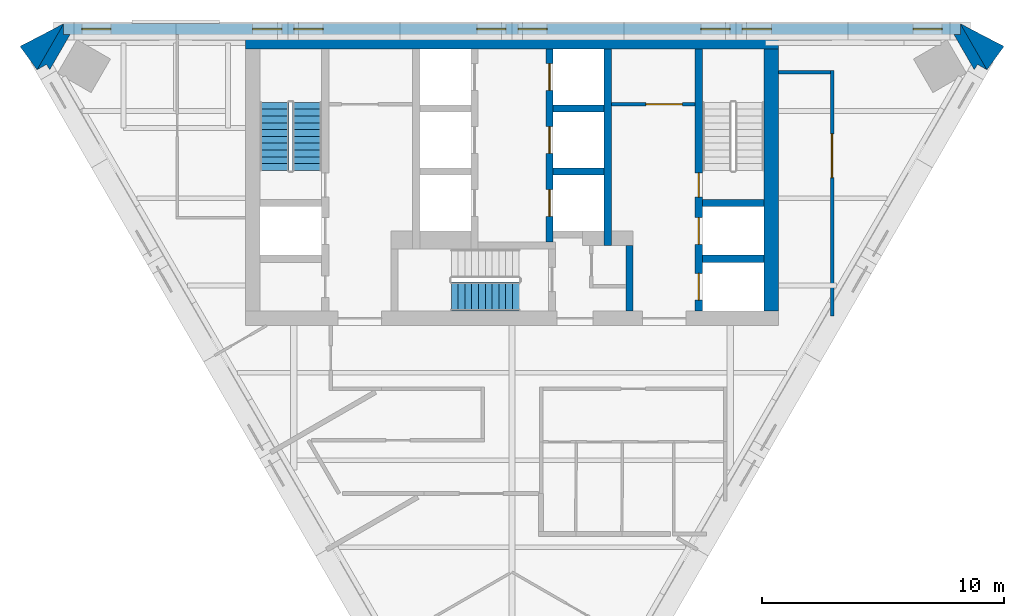
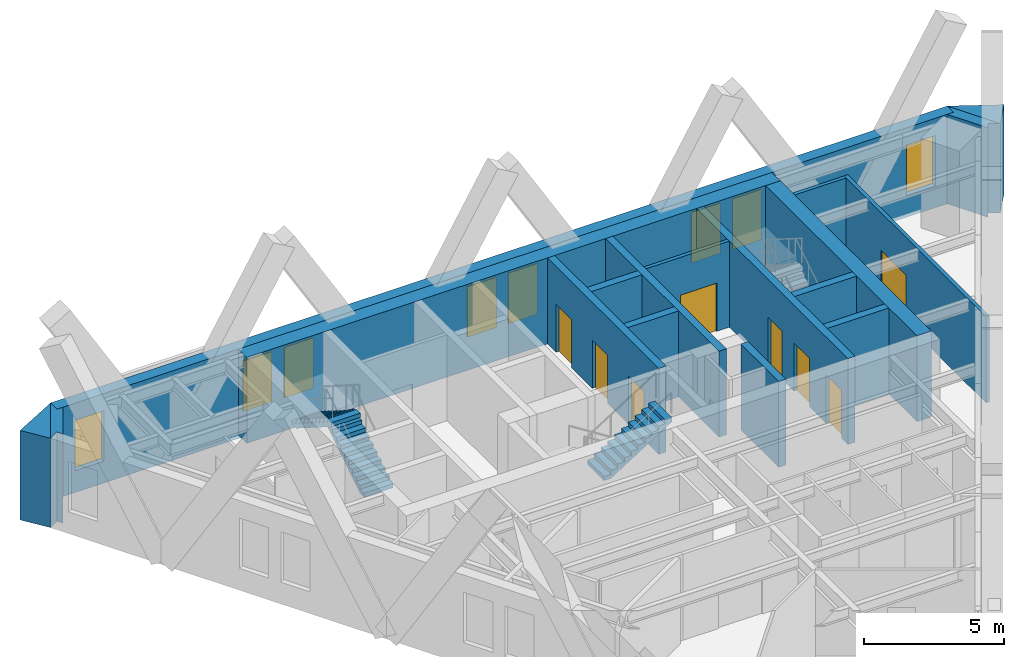
# One storey, part 5 of 7: 18 walls, 8 doors, 8 windows, 3 stair flights, 16 openings, 2 elements without a shape of their own.
"""IFC4 building model written with IfcOpenShell, lengths in metres."""

from ifc_helpers import new_model, si_unit, direction, frame, frame_2d, origin, place, context, subcontext, project, spatial, polyline, rectangle, outline, extrude, material, layer, layer_set, type_object, element, fill, aggregate, save


model = new_model("IFC4")

# Units and contexts
model_context = context("Model", 3, precision=1e-05, world=origin(), true_north=direction((0.0, 1.0)))
body_context = subcontext(model_context, "Body", "Model", "MODEL_VIEW")
ifc_project = project(units=[si_unit("LENGTHUNIT", "METRE"), si_unit("AREAUNIT", "SQUARE_METRE"), si_unit("VOLUMEUNIT", "CUBIC_METRE"), si_unit("PLANEANGLEUNIT", "RADIAN"), si_unit("MASSUNIT", "GRAM", prefix="KILO")], contexts=[model_context])

# Site, building, storey
site_placement = place(None, origin())
site = spatial("IfcSite", under=ifc_project, at=site_placement, CompositionType="ELEMENT")
building_placement = place(site_placement, origin())
building = spatial("IfcBuilding", under=site, at=building_placement, Name="Aloe Facet Convention Tower", CompositionType="ELEMENT")
storey_placement = place(building_placement, frame((0.0, 0.0, 246.5)))
storey = spatial("IfcBuildingStorey", under=building, at=storey_placement, Name="L60", CompositionType="ELEMENT", Elevation=246.5)

# Wall, opening, door
ifc_material_1 = material(Name="Concrete blockwork partition", Category="masonry")
ifc_layer_1 = layer(ifc_material_1, 0.14990234375)
ifc_layer_set_1 = layer_set([ifc_layer_1], Name="CR-W-PART150")
wall_type_1 = type_object("IfcWallType", Name="CR-W-PART150", PredefinedType="PARTITIONING", material=ifc_layer_set_1)
wall_1_placement = place(storey_placement, frame((84.10009765625, 131.675048828125, 0.0), z_axis=(0.0, 0.0, 1.0), x_axis=(1.0, 0.0, 0.0)))
wall_1 = element("IfcWall", 1, at=wall_1_placement, inside=storey, type_object=wall_type_1, Name="Core partition L60-025", PredefinedType="PARTITIONING", context=body_context, shape_type="SweptSolid", body=[
    extrude(rectangle(XDim=3.449951171875, YDim=0.14990234375, at=frame_2d((1.72509765625, 0.0))), origin(), (0.0, 0.0, 1.0), 3.75),
])
opening_1_placement = place(wall_1_placement, frame((1.425048828125, 0.0, 0.0)))
opening_1 = element("IfcOpeningElement", 2, at=opening_1_placement, cuts=wall_1, Name="Opening L60-CD13", PredefinedType="OPENING", context=body_context, shape_type="SweptSolid", body=[
    extrude(rectangle(XDim=1.5, YDim=2.10009765625, at=frame_2d((0.75, 1.050048828125))), frame((0.0, 0.0849609375, 0.0), z_axis=(0.0, -1.0, 0.0), x_axis=(1.0, 0.0, 0.0)), (0.0, 0.0, 1.0), 0.169921875),
])
ifc_material_2 = material(Name="Steel fire-resisting door set FD60", Category="steel")
door_type_1 = type_object("IfcDoorType", Name="CR-D-REFUGE-1500-FD60-DD", OperationType="DOUBLE_DOOR_DOUBLE_SWING", PredefinedType="DOOR", material=ifc_material_2)
door_1_placement = place(opening_1_placement, origin())
door_1 = element("IfcDoor", 3, at=door_1_placement, inside=storey, type_object=door_type_1, Name="Core door L60-CD13", OperationType="DOUBLE_DOOR_DOUBLE_SWING", OverallHeight=2.10009765625, OverallWidth=1.5, PredefinedType="DOOR", context=body_context, shape_type="SweptSolid", body=[
    extrude(rectangle(XDim=1.5, YDim=2.10009765625, at=frame_2d((0.75, 1.050048828125))), frame((0.0, 0.02490234375, 0.0), z_axis=(0.0, -1.0, 0.0), x_axis=(1.0, 0.0, 0.0)), (0.0, 0.0, 1.0), 0.050048828125),
])
fill(opening_1, door_1)

# Wall, openings, doors
ifc_material_3 = material(Name="Concrete C50/60", Category="concrete")
ifc_layer_2 = layer(ifc_material_3, 0.300048828125)
ifc_layer_set_2 = layer_set([ifc_layer_2], Name="CR-W-RC300-C5060")
wall_type_2 = type_object("IfcWallType", Name="CR-W-RC300-C5060", PredefinedType="SOLIDWALL", material=ifc_layer_set_2)
wall_2_placement = place(storey_placement, frame((81.550048828125, 133.949951171875, 0.0), z_axis=(0.0, 0.0, 1.0), x_axis=(0.0, -1.0, 0.0)))
wall_2 = element("IfcWall", 4, at=wall_2_placement, inside=storey, type_object=wall_type_2, Name="Core wall L60-016", PredefinedType="SOLIDWALL", context=body_context, shape_type="SweptSolid", body=[
    extrude(rectangle(XDim=7.949951171875, YDim=0.300048828125, at=frame_2d((3.97509765625, 0.0))), origin(), (0.0, 0.0, 1.0), 3.75),
])
opening_2_placement = place(wall_2_placement, frame((0.60009765625, 0.0, 0.0)))
opening_2 = element("IfcOpeningElement", 5, at=opening_2_placement, cuts=wall_2, Name="Opening LD-B4-L60", PredefinedType="OPENING", context=body_context, shape_type="SweptSolid", body=[
    extrude(rectangle(XDim=1.10009765625, YDim=2.10009765625, at=frame_2d((0.550048828125, 1.050048828125))), frame((0.0, 0.16015625, 0.0), z_axis=(0.0, -1.0, 0.0), x_axis=(1.0, 0.0, 0.0)), (0.0, 0.0, 1.0), 0.320068359375),
])
opening_3_placement = place(wall_2_placement, frame((3.199951171875, 0.0, 0.0)))
opening_3 = element("IfcOpeningElement", 6, at=opening_3_placement, cuts=wall_2, Name="Opening LD-B5-L60", PredefinedType="OPENING", context=body_context, shape_type="SweptSolid", body=[
    extrude(rectangle(XDim=1.10009765625, YDim=2.10009765625, at=frame_2d((0.550048828125, 1.050048828125))), frame((0.0, 0.16015625, 0.0), z_axis=(0.0, -1.0, 0.0), x_axis=(1.0, 0.0, 0.0)), (0.0, 0.0, 1.0), 0.320068359375),
])
opening_4_placement = place(wall_2_placement, frame((5.800048828125, 0.0, 0.0)))
opening_4 = element("IfcOpeningElement", 7, at=opening_4_placement, cuts=wall_2, Name="Opening LD-B6-L60", PredefinedType="OPENING", context=body_context, shape_type="SweptSolid", body=[
    extrude(rectangle(XDim=1.10009765625, YDim=2.10009765625, at=frame_2d((0.550048828125, 1.050048828125))), frame((0.0, 0.16015625, 0.0), z_axis=(0.0, -1.0, 0.0), x_axis=(1.0, 0.0, 0.0)), (0.0, 0.0, 1.0), 0.320068359375),
])
ifc_material_4 = material(Name="Stainless steel sliding landing door", Category="steel")
door_type_2 = type_object("IfcDoorType", Name="CR-LD-1100-FD60-_LEFT", OperationType="SLIDING_TO_LEFT", PredefinedType="DOOR", material=ifc_material_4)
door_2_placement = place(opening_2_placement, origin())
door_2 = element("IfcDoor", 8, at=door_2_placement, inside=storey, type_object=door_type_2, Name="Landing door B4 L60", OperationType="SLIDING_TO_LEFT", OverallHeight=2.10009765625, OverallWidth=1.10009765625, PredefinedType="DOOR", context=body_context, shape_type="SweptSolid", body=[
    extrude(rectangle(XDim=1.10009765625, YDim=2.10009765625, at=frame_2d((0.550048828125, 1.050048828125))), frame((0.0, 0.02490234375, 0.0), z_axis=(0.0, -1.0, 0.0), x_axis=(1.0, 0.0, 0.0)), (0.0, 0.0, 1.0), 0.050048828125),
])
fill(opening_2, door_2)
door_3_placement = place(opening_3_placement, origin())
door_3 = element("IfcDoor", 9, at=door_3_placement, inside=storey, type_object=door_type_2, Name="Landing door B5 L60", OperationType="SLIDING_TO_LEFT", OverallHeight=2.10009765625, OverallWidth=1.10009765625, PredefinedType="DOOR", context=body_context, shape_type="SweptSolid", body=[
    extrude(rectangle(XDim=1.10009765625, YDim=2.10009765625, at=frame_2d((0.550048828125, 1.050048828125))), frame((0.0, 0.02490234375, 0.0), z_axis=(0.0, -1.0, 0.0), x_axis=(1.0, 0.0, 0.0)), (0.0, 0.0, 1.0), 0.050048828125),
])
fill(opening_3, door_3)
door_4_placement = place(opening_4_placement, origin())
door_4 = element("IfcDoor", 10, at=door_4_placement, inside=storey, type_object=door_type_2, Name="Landing door B6 L60", OperationType="SLIDING_TO_LEFT", OverallHeight=2.10009765625, OverallWidth=1.10009765625, PredefinedType="DOOR", context=body_context, shape_type="SweptSolid", body=[
    extrude(rectangle(XDim=1.10009765625, YDim=2.10009765625, at=frame_2d((0.550048828125, 1.050048828125))), frame((0.0, 0.02490234375, 0.0), z_axis=(0.0, -1.0, 0.0), x_axis=(1.0, 0.0, 0.0)), (0.0, 0.0, 1.0), 0.050048828125),
])
fill(opening_4, door_4)

# Walls
for number, where, z_axis, x_axis, name in (
    (11, (81.699951171875, 131.5, 0.0), (0.0, 0.0, 1.0), (1.0, 0.0, 0.0), "Core wall L60-018"),
    (12, (81.699951171875, 128.89990234375, 0.0), (0.0, 0.0, 1.0), (1.0, 0.0, 0.0), "Core wall L60-019"),
):
    element("IfcWall", number, at=place(storey_placement, frame(where, z_axis=z_axis, x_axis=x_axis)), inside=storey, type_object=wall_type_2, Name=name, PredefinedType="SOLIDWALL", context=body_context, shape_type="SweptSolid", body=[
        extrude(rectangle(XDim=2.10009765625, YDim=0.300048828125, at=frame_2d((1.050048828125, 0.0))), origin(), (0.0, 0.0, 1.0), 3.75),
    ])
wall_3_placement = place(storey_placement, frame((83.949951171875, 133.949951171875, 0.0), z_axis=(0.0, 0.0, 1.0), x_axis=(0.0, -1.0, 0.0)))
element("IfcWall", 13, at=wall_3_placement, inside=storey, type_object=wall_type_2, Name="Core wall L60-024", PredefinedType="SOLIDWALL", context=body_context, shape_type="SweptSolid", body=[
    extrude(rectangle(XDim=8.099853515625, YDim=0.300048828125, at=frame_2d((4.0498046875, 0.0))), origin(), (0.0, 0.0, 1.0), 3.75),
])
wall_4_placement = place(storey_placement, frame((84.85009765625, 125.85009765625, 0.0), z_axis=(0.0, 0.0, 1.0), x_axis=(0.0, -1.0, 0.0)))
element("IfcWall", 14, at=wall_4_placement, inside=storey, type_object=wall_type_2, Name="Core wall L60-027", PredefinedType="SOLIDWALL", context=body_context, shape_type="SweptSolid", body=[
    extrude(rectangle(XDim=2.7001953125, YDim=0.300048828125, at=frame_2d((1.35009765625, 0.0))), origin(), (0.0, 0.0, 1.0), 3.75),
])

# Wall, openings, doors
wall_5_placement = place(storey_placement, frame((87.699951171875, 133.949951171875, 0.0), z_axis=(0.0, 0.0, 1.0), x_axis=(0.0, -1.0, 0.0)))
wall_5 = element("IfcWall", 15, at=wall_5_placement, inside=storey, type_object=wall_type_2, Name="Core wall L60-028", PredefinedType="SOLIDWALL", context=body_context, shape_type="SweptSolid", body=[
    extrude(rectangle(XDim=10.800048828125, YDim=0.300048828125, at=frame_2d((5.39990234375, 0.0))), origin(), (0.0, 0.0, 1.0), 3.75),
])
opening_5_placement = place(wall_5_placement, frame((6.949951171875, 0.0, 0.0)))
opening_5 = element("IfcOpeningElement", 16, at=opening_5_placement, cuts=wall_5, Name="Opening LD-FF2-L60", PredefinedType="OPENING", context=body_context, shape_type="SweptSolid", body=[
    extrude(rectangle(XDim=1.10009765625, YDim=2.10009765625, at=frame_2d((0.550048828125, 1.050048828125))), frame((0.0, 0.16015625, 0.0), z_axis=(0.0, -1.0, 0.0), x_axis=(1.0, 0.0, 0.0)), (0.0, 0.0, 1.0), 0.320068359375),
])
opening_6_placement = place(wall_5_placement, frame((5.10009765625, 0.0, 0.0)))
opening_6 = element("IfcOpeningElement", 17, at=opening_6_placement, cuts=wall_5, Name="Opening L60-CD17", PredefinedType="OPENING", context=body_context, shape_type="SweptSolid", body=[
    extrude(rectangle(XDim=1.0, YDim=2.10009765625, at=frame_2d((0.5, 1.050048828125))), frame((0.0, 0.16015625, 0.0), z_axis=(0.0, -1.0, 0.0), x_axis=(1.0, 0.0, 0.0)), (0.0, 0.0, 1.0), 0.320068359375),
])
opening_7_placement = place(wall_5_placement, frame((9.25, 0.0, 0.0)))
opening_7 = element("IfcOpeningElement", 18, at=opening_7_placement, cuts=wall_5, Name="Opening LD-SV1-L60", PredefinedType="OPENING", context=body_context, shape_type="SweptSolid", body=[
    extrude(rectangle(XDim=1.10009765625, YDim=2.10009765625, at=frame_2d((0.550048828125, 1.050048828125))), frame((0.0, 0.16015625, 0.0), z_axis=(0.0, -1.0, 0.0), x_axis=(1.0, 0.0, 0.0)), (0.0, 0.0, 1.0), 0.320068359375),
])
ifc_material_5 = material(Name="Steel fire-resisting door set FD120", Category="steel")
door_type_3 = type_object("IfcDoorType", Name="CR-D-STAIR-1000-FD120-SLEFT", OperationType="SINGLE_SWING_LEFT", PredefinedType="DOOR", material=ifc_material_5)
door_5_placement = place(opening_6_placement, origin())
door_5 = element("IfcDoor", 19, at=door_5_placement, inside=storey, type_object=door_type_3, Name="Core door L60-CD17", OperationType="SINGLE_SWING_LEFT", OverallHeight=2.10009765625, OverallWidth=1.0, PredefinedType="DOOR", context=body_context, shape_type="SweptSolid", body=[
    extrude(rectangle(XDim=1.0, YDim=2.10009765625, at=frame_2d((0.5, 1.050048828125))), frame((0.0, 0.02490234375, 0.0), z_axis=(0.0, -1.0, 0.0), x_axis=(1.0, 0.0, 0.0)), (0.0, 0.0, 1.0), 0.050048828125),
])
fill(opening_6, door_5)
ifc_material_6 = material(Name="Stainless steel sliding landing door", Category="steel")
door_type_4 = type_object("IfcDoorType", Name="CR-LD-1100-FD120-_LEFT", OperationType="SLIDING_TO_LEFT", PredefinedType="DOOR", material=ifc_material_6)
door_6_placement = place(opening_5_placement, origin())
door_6 = element("IfcDoor", 20, at=door_6_placement, inside=storey, type_object=door_type_4, Name="Landing door FF2 L60", OperationType="SLIDING_TO_LEFT", OverallHeight=2.10009765625, OverallWidth=1.10009765625, PredefinedType="DOOR", context=body_context, shape_type="SweptSolid", body=[
    extrude(rectangle(XDim=1.10009765625, YDim=2.10009765625, at=frame_2d((0.550048828125, 1.050048828125))), frame((0.0, 0.02490234375, 0.0), z_axis=(0.0, -1.0, 0.0), x_axis=(1.0, 0.0, 0.0)), (0.0, 0.0, 1.0), 0.050048828125),
])
fill(opening_5, door_6)
door_7_placement = place(opening_7_placement, origin())
door_7 = element("IfcDoor", 21, at=door_7_placement, inside=storey, type_object=door_type_4, Name="Landing door SV1 L60", OperationType="SLIDING_TO_LEFT", OverallHeight=2.10009765625, OverallWidth=1.10009765625, PredefinedType="DOOR", context=body_context, shape_type="SweptSolid", body=[
    extrude(rectangle(XDim=1.10009765625, YDim=2.10009765625, at=frame_2d((0.550048828125, 1.050048828125))), frame((0.0, 0.02490234375, 0.0), z_axis=(0.0, -1.0, 0.0), x_axis=(1.0, 0.0, 0.0)), (0.0, 0.0, 1.0), 0.050048828125),
])
fill(opening_7, door_7)

# Walls
for number, where, z_axis, x_axis, name in (
    (22, (87.85009765625, 127.60009765625, 0.0), (0.0, 0.0, 1.0), (1.0, 0.0, 0.0), "Core wall L60-029"),
    (23, (87.85009765625, 125.300048828125, 0.0), (0.0, 0.0, 1.0), (1.0, 0.0, 0.0), "Core wall L60-030"),
):
    element("IfcWall", number, at=place(storey_placement, frame(where, z_axis=z_axis, x_axis=x_axis)), inside=storey, type_object=wall_type_2, Name=name, PredefinedType="SOLIDWALL", context=body_context, shape_type="SweptSolid", body=[
        extrude(rectangle(XDim=2.5498046875, YDim=0.300048828125, at=frame_2d((1.27490234375, 0.0))), origin(), (0.0, 0.0, 1.0), 3.75),
    ])
ifc_material_7 = material(Name="Concrete C50/60", Category="concrete")
ifc_layer_3 = layer(ifc_material_7, 0.60009765625)
ifc_layer_set_3 = layer_set([ifc_layer_3], Name="CR-W-RC600-C5060")
wall_type_3 = type_object("IfcWallType", Name="CR-W-RC600-C5060", PredefinedType="SOLIDWALL", material=ifc_layer_set_3)
wall_6_placement = place(storey_placement, frame((69.0, 134.25, 0.0), z_axis=(0.0, 0.0, 1.0), x_axis=(1.0, 0.0, 0.0)))
element("IfcWall", 24, at=wall_6_placement, inside=storey, type_object=wall_type_3, Name="Core wall L60-001", PredefinedType="SOLIDWALL", context=body_context, shape_type="SweptSolid", body=[
    extrude(rectangle(XDim=22.0, YDim=0.60009765625, at=frame_2d((11.0, 0.0))), origin(), (0.0, 0.0, 1.0), 3.75),
])
wall_7_placement = place(storey_placement, frame((90.699951171875, 133.949951171875, 0.0), z_axis=(0.0, 0.0, 1.0), x_axis=(0.0, -1.0, 0.0)))
element("IfcWall", 25, at=wall_7_placement, inside=storey, type_object=wall_type_3, Name="Core wall L60-031", PredefinedType="SOLIDWALL", context=body_context, shape_type="SweptSolid", body=[
    extrude(rectangle(XDim=10.800048828125, YDim=0.60009765625, at=frame_2d((5.39990234375, 0.0))), origin(), (0.0, 0.0, 1.0), 3.75),
])
ifc_material_8 = material(Name="Precast concrete C40/50", Category="concrete")
ifc_layer_4 = layer(ifc_material_8, 0.449951171875)
ifc_layer_set_4 = layer_set([ifc_layer_4], Name="EV-WALL-PIER")
wall_type_4 = type_object("IfcWallType", Name="EV-WALL-PIER", PredefinedType="SOLIDWALL", material=ifc_layer_set_4)
wall_8_placement = place(storey_placement, frame((0.0, 0.0, -0.14990234375)))
element("IfcWall", 26, at=wall_8_placement, inside=storey, type_object=wall_type_4, Name="EP-L60-A", PredefinedType="SOLIDWALL", context=body_context, shape_type="SweptSolid", body=[
    extrude(outline(polyline([(61.513916015625, 135.0), (61.513916015625, 134.550048828125), (61.773681640625, 134.550048828125), (60.933349609375, 133.0947265625), (60.803466796875, 133.31982421875), (60.413818359375, 133.0947265625), (61.513916015625, 135.0)])), origin(), (0.0, 0.0, 1.0), 3.89990234375),
])
wall_9_placement = place(storey_placement, frame((0.0, 0.0, -0.14990234375)))
element("IfcWall", 27, at=wall_9_placement, inside=storey, type_object=wall_type_4, Name="EP-L60-C", PredefinedType="SOLIDWALL", context=body_context, shape_type="SweptSolid", body=[
    extrude(outline(polyline([(99.586181640625, 133.0947265625), (99.196533203125, 133.31982421875), (99.066650390625, 133.0947265625), (98.226318359375, 134.550048828125), (98.486083984375, 134.550048828125), (98.486083984375, 135.0), (99.586181640625, 133.0947265625)])), origin(), (0.0, 0.0, 1.0), 3.89990234375),
])
ifc_material_9 = material(Name="Precast concrete C40/50", Category="concrete")
ifc_layer_5 = layer(ifc_material_9, 3.947998046875)
ifc_layer_set_5 = layer_set([ifc_layer_5], Name="EV-WALL-SPINE")
wall_type_5 = type_object("IfcWallType", Name="EV-WALL-SPINE", PredefinedType="SOLIDWALL", material=ifc_layer_set_5)
wall_10_placement = place(storey_placement, frame((0.0, 0.0, -0.14990234375)))
element("IfcWall", 28, at=wall_10_placement, inside=storey, type_object=wall_type_5, Name="SP-NW-L60", PredefinedType="SOLIDWALL", context=body_context, shape_type="SweptSolid", body=[
    extrude(outline(polyline([(61.513916015625, 135.0), (59.7099609375, 134.061279296875), (60.413818359375, 133.0947265625), (61.513916015625, 135.0)])), origin(), (0.0, 0.0, 1.0), 3.89990234375),
])
wall_11_placement = place(storey_placement, frame((0.0, 0.0, -0.14990234375)))
element("IfcWall", 29, at=wall_11_placement, inside=storey, type_object=wall_type_5, Name="SP-NE-L60", PredefinedType="SOLIDWALL", context=body_context, shape_type="SweptSolid", body=[
    extrude(outline(polyline([(99.586181640625, 133.0947265625), (100.2900390625, 134.061279296875), (98.486083984375, 135.0), (99.586181640625, 133.0947265625)])), origin(), (0.0, 0.0, 1.0), 3.89990234375),
])

# Wall, openings, windows
ifc_material_10 = material(Name="Precast concrete C40/50", Category="concrete")
ifc_layer_6 = layer(ifc_material_10, 0.449951171875)
ifc_layer_set_6 = layer_set([ifc_layer_6], Name="EV-WALL-STONE")
wall_type_6 = type_object("IfcWallType", Name="EV-WALL-STONE", PredefinedType="SOLIDWALL", material=ifc_layer_set_6)
wall_12_placement = place(storey_placement, frame((98.486083984375, 134.77490234375, -0.14990234375), z_axis=(0.0, 0.0, 1.0), x_axis=(-1.0, 0.0, 0.0)))
wall_12 = element("IfcWall", 30, at=wall_12_placement, inside=storey, type_object=wall_type_6, Name="EW-L60-N01", PredefinedType="SOLIDWALL", context=body_context, shape_type="SweptSolid", body=[
    extrude(outline(polyline([(36.972412109375, 0.0), (36.972412109375, 3.89990234375), (0.0, 3.89990234375), (0.0, 0.0), (36.972412109375, 0.0)])), frame((0.0, 0.22509765625, 0.0), z_axis=(0.0, -1.0, 0.0), x_axis=(1.0, 0.0, 0.0)), (0.0, 0.0, 1.0), 0.449951171875),
])
opening_8_placement = place(wall_12_placement, frame((0.744140625, 0.0, 0.949951171875)))
opening_8 = element("IfcOpeningElement", 31, at=opening_8_placement, cuts=wall_12, Name="Opening W-L60-N01", PredefinedType="OPENING", context=body_context, shape_type="SweptSolid", body=[
    extrude(rectangle(XDim=1.199951171875, YDim=2.199951171875, at=frame_2d((0.60009765625, 1.10009765625))), frame((0.0, 0.23486328125, 0.0), z_axis=(0.0, -1.0, 0.0), x_axis=(1.0, 0.0, 0.0)), (0.0, 0.0, 1.0), 0.469970703125),
])
opening_9_placement = place(wall_12_placement, frame((7.79296875, 0.0, 0.949951171875)))
opening_9 = element("IfcOpeningElement", 32, at=opening_9_placement, cuts=wall_12, Name="Opening W-L60-N02", PredefinedType="OPENING", context=body_context, shape_type="SweptSolid", body=[
    extrude(rectangle(XDim=1.199951171875, YDim=2.199951171875, at=frame_2d((0.60009765625, 1.10009765625))), frame((0.0, 0.23486328125, 0.0), z_axis=(0.0, -1.0, 0.0), x_axis=(1.0, 0.0, 0.0)), (0.0, 0.0, 1.0), 0.469970703125),
])
opening_10_placement = place(wall_12_placement, frame((9.4931640625, 0.0, 0.949951171875)))
opening_10 = element("IfcOpeningElement", 33, at=opening_10_placement, cuts=wall_12, Name="Opening W-L60-N03", PredefinedType="OPENING", context=body_context, shape_type="SweptSolid", body=[
    extrude(rectangle(XDim=1.199951171875, YDim=2.199951171875, at=frame_2d((0.60009765625, 1.10009765625))), frame((0.0, 0.23486328125, 0.0), z_axis=(0.0, -1.0, 0.0), x_axis=(1.0, 0.0, 0.0)), (0.0, 0.0, 1.0), 0.469970703125),
])
opening_11_placement = place(wall_12_placement, frame((17.0361328125, 0.0, 0.949951171875)))
opening_11 = element("IfcOpeningElement", 34, at=opening_11_placement, cuts=wall_12, Name="Opening W-L60-N04", PredefinedType="OPENING", context=body_context, shape_type="SweptSolid", body=[
    extrude(rectangle(XDim=1.199951171875, YDim=2.199951171875, at=frame_2d((0.60009765625, 1.10009765625))), frame((0.0, 0.23486328125, 0.0), z_axis=(0.0, -1.0, 0.0), x_axis=(1.0, 0.0, 0.0)), (0.0, 0.0, 1.0), 0.469970703125),
])
opening_12_placement = place(wall_12_placement, frame((18.736083984375, 0.0, 0.949951171875)))
opening_12 = element("IfcOpeningElement", 35, at=opening_12_placement, cuts=wall_12, Name="Opening W-L60-N05", PredefinedType="OPENING", context=body_context, shape_type="SweptSolid", body=[
    extrude(rectangle(XDim=1.199951171875, YDim=2.199951171875, at=frame_2d((0.60009765625, 1.10009765625))), frame((0.0, 0.23486328125, 0.0), z_axis=(0.0, -1.0, 0.0), x_axis=(1.0, 0.0, 0.0)), (0.0, 0.0, 1.0), 0.469970703125),
])
opening_13_placement = place(wall_12_placement, frame((26.279296875, 0.0, 0.949951171875)))
opening_13 = element("IfcOpeningElement", 36, at=opening_13_placement, cuts=wall_12, Name="Opening W-L60-N06", PredefinedType="OPENING", context=body_context, shape_type="SweptSolid", body=[
    extrude(rectangle(XDim=1.199951171875, YDim=2.199951171875, at=frame_2d((0.60009765625, 1.10009765625))), frame((0.0, 0.23486328125, 0.0), z_axis=(0.0, -1.0, 0.0), x_axis=(1.0, 0.0, 0.0)), (0.0, 0.0, 1.0), 0.469970703125),
])
opening_14_placement = place(wall_12_placement, frame((27.979248046875, 0.0, 0.949951171875)))
opening_14 = element("IfcOpeningElement", 37, at=opening_14_placement, cuts=wall_12, Name="Opening W-L60-N07", PredefinedType="OPENING", context=body_context, shape_type="SweptSolid", body=[
    extrude(rectangle(XDim=1.199951171875, YDim=2.199951171875, at=frame_2d((0.60009765625, 1.10009765625))), frame((0.0, 0.23486328125, 0.0), z_axis=(0.0, -1.0, 0.0), x_axis=(1.0, 0.0, 0.0)), (0.0, 0.0, 1.0), 0.469970703125),
])
opening_15_placement = place(wall_12_placement, frame((35.028076171875, 0.0, 0.949951171875)))
opening_15 = element("IfcOpeningElement", 38, at=opening_15_placement, cuts=wall_12, Name="Opening W-L60-N08", PredefinedType="OPENING", context=body_context, shape_type="SweptSolid", body=[
    extrude(rectangle(XDim=1.199951171875, YDim=2.199951171875, at=frame_2d((0.60009765625, 1.10009765625))), frame((0.0, 0.23486328125, 0.0), z_axis=(0.0, -1.0, 0.0), x_axis=(1.0, 0.0, 0.0)), (0.0, 0.0, 1.0), 0.469970703125),
])
ifc_material_11 = material(Name="Aluminium frame, clear double glazing", Category="aluminium")
window_type = type_object("IfcWindowType", Name="EV-WIN-O12", PartitioningType="SINGLE_PANEL", PredefinedType="WINDOW", material=ifc_material_11)
window_1_placement = place(opening_8_placement, origin())
window_1 = element("IfcWindow", 39, at=window_1_placement, inside=storey, type_object=window_type, Name="W-L60-N01", OverallHeight=2.199951171875, OverallWidth=1.199951171875, PartitioningType="SINGLE_PANEL", PredefinedType="WINDOW", context=body_context, shape_type="SweptSolid", body=[
    extrude(rectangle(XDim=1.199951171875, YDim=2.199951171875, at=frame_2d((0.60009765625, 1.10009765625))), frame((0.0, 0.030029296875, 0.0), z_axis=(0.0, -1.0, 0.0), x_axis=(1.0, 0.0, 0.0)), (0.0, 0.0, 1.0), 0.06005859375),
])
fill(opening_8, window_1)
window_2_placement = place(opening_9_placement, origin())
window_2 = element("IfcWindow", 40, at=window_2_placement, inside=storey, type_object=window_type, Name="W-L60-N02", OverallHeight=2.199951171875, OverallWidth=1.199951171875, PartitioningType="SINGLE_PANEL", PredefinedType="WINDOW", context=body_context, shape_type="SweptSolid", body=[
    extrude(rectangle(XDim=1.199951171875, YDim=2.199951171875, at=frame_2d((0.60009765625, 1.10009765625))), frame((0.0, 0.030029296875, 0.0), z_axis=(0.0, -1.0, 0.0), x_axis=(1.0, 0.0, 0.0)), (0.0, 0.0, 1.0), 0.06005859375),
])
fill(opening_9, window_2)
window_3_placement = place(opening_10_placement, origin())
window_3 = element("IfcWindow", 41, at=window_3_placement, inside=storey, type_object=window_type, Name="W-L60-N03", OverallHeight=2.199951171875, OverallWidth=1.199951171875, PartitioningType="SINGLE_PANEL", PredefinedType="WINDOW", context=body_context, shape_type="SweptSolid", body=[
    extrude(rectangle(XDim=1.199951171875, YDim=2.199951171875, at=frame_2d((0.60009765625, 1.10009765625))), frame((0.0, 0.030029296875, 0.0), z_axis=(0.0, -1.0, 0.0), x_axis=(1.0, 0.0, 0.0)), (0.0, 0.0, 1.0), 0.06005859375),
])
fill(opening_10, window_3)
window_4_placement = place(opening_11_placement, origin())
window_4 = element("IfcWindow", 42, at=window_4_placement, inside=storey, type_object=window_type, Name="W-L60-N04", OverallHeight=2.199951171875, OverallWidth=1.199951171875, PartitioningType="SINGLE_PANEL", PredefinedType="WINDOW", context=body_context, shape_type="SweptSolid", body=[
    extrude(rectangle(XDim=1.199951171875, YDim=2.199951171875, at=frame_2d((0.60009765625, 1.10009765625))), frame((0.0, 0.030029296875, 0.0), z_axis=(0.0, -1.0, 0.0), x_axis=(1.0, 0.0, 0.0)), (0.0, 0.0, 1.0), 0.06005859375),
])
fill(opening_11, window_4)
window_5_placement = place(opening_12_placement, origin())
window_5 = element("IfcWindow", 43, at=window_5_placement, inside=storey, type_object=window_type, Name="W-L60-N05", OverallHeight=2.199951171875, OverallWidth=1.199951171875, PartitioningType="SINGLE_PANEL", PredefinedType="WINDOW", context=body_context, shape_type="SweptSolid", body=[
    extrude(rectangle(XDim=1.199951171875, YDim=2.199951171875, at=frame_2d((0.60009765625, 1.10009765625))), frame((0.0, 0.030029296875, 0.0), z_axis=(0.0, -1.0, 0.0), x_axis=(1.0, 0.0, 0.0)), (0.0, 0.0, 1.0), 0.06005859375),
])
fill(opening_12, window_5)
window_6_placement = place(opening_13_placement, origin())
window_6 = element("IfcWindow", 44, at=window_6_placement, inside=storey, type_object=window_type, Name="W-L60-N06", OverallHeight=2.199951171875, OverallWidth=1.199951171875, PartitioningType="SINGLE_PANEL", PredefinedType="WINDOW", context=body_context, shape_type="SweptSolid", body=[
    extrude(rectangle(XDim=1.199951171875, YDim=2.199951171875, at=frame_2d((0.60009765625, 1.10009765625))), frame((0.0, 0.030029296875, 0.0), z_axis=(0.0, -1.0, 0.0), x_axis=(1.0, 0.0, 0.0)), (0.0, 0.0, 1.0), 0.06005859375),
])
fill(opening_13, window_6)
window_7_placement = place(opening_14_placement, origin())
window_7 = element("IfcWindow", 45, at=window_7_placement, inside=storey, type_object=window_type, Name="W-L60-N07", OverallHeight=2.199951171875, OverallWidth=1.199951171875, PartitioningType="SINGLE_PANEL", PredefinedType="WINDOW", context=body_context, shape_type="SweptSolid", body=[
    extrude(rectangle(XDim=1.199951171875, YDim=2.199951171875, at=frame_2d((0.60009765625, 1.10009765625))), frame((0.0, 0.030029296875, 0.0), z_axis=(0.0, -1.0, 0.0), x_axis=(1.0, 0.0, 0.0)), (0.0, 0.0, 1.0), 0.06005859375),
])
fill(opening_14, window_7)
window_8_placement = place(opening_15_placement, origin())
window_8 = element("IfcWindow", 46, at=window_8_placement, inside=storey, type_object=window_type, Name="W-L60-N08", OverallHeight=2.199951171875, OverallWidth=1.199951171875, PartitioningType="SINGLE_PANEL", PredefinedType="WINDOW", context=body_context, shape_type="SweptSolid", body=[
    extrude(rectangle(XDim=1.199951171875, YDim=2.199951171875, at=frame_2d((0.60009765625, 1.10009765625))), frame((0.0, 0.030029296875, 0.0), z_axis=(0.0, -1.0, 0.0), x_axis=(1.0, 0.0, 0.0)), (0.0, 0.0, 1.0), 0.06005859375),
])
fill(opening_15, window_8)

# Wall, opening, door
ifc_material_12 = material(Name="Gypsum board partition on steel studs", Category="steel")
ifc_layer_7 = layer(ifc_material_12, 0.14990234375)
ifc_layer_set_7 = layer_set([ifc_layer_7], Name="IN-W-CORR")
wall_type_7 = type_object("IfcWallType", Name="IN-W-CORR", PredefinedType="PARTITIONING", material=ifc_layer_set_7)
wall_13_placement = place(storey_placement, frame((93.199951171875, 122.93359375, 0.0), z_axis=(0.0, 0.0, 1.0), x_axis=(0.0, 1.0, 0.0)))
wall_13 = element("IfcWall", 47, at=wall_13_placement, inside=storey, type_object=wall_type_7, Name="Partition L60-W033", PredefinedType="PARTITIONING", context=body_context, shape_type="SweptSolid", body=[
    extrude(rectangle(XDim=10.141357421875, YDim=0.14990234375, at=frame_2d((5.07080078125, 0.0))), origin(), (0.0, 0.0, 1.0), 3.75),
])
opening_16_placement = place(wall_13_placement, frame((5.718994140625, 0.0, 0.0)))
opening_16 = element("IfcOpeningElement", 48, at=opening_16_placement, cuts=wall_13, Name="Opening L60-010", PredefinedType="OPENING", context=body_context, shape_type="SweptSolid", body=[
    extrude(rectangle(XDim=1.800048828125, YDim=2.10009765625, at=frame_2d((0.89990234375, 1.050048828125))), frame((0.0, 0.0849609375, 0.0), z_axis=(0.0, -1.0, 0.0), x_axis=(1.0, 0.0, 0.0)), (0.0, 0.0, 1.0), 0.169921875),
])
ifc_material_13 = material(Name="Glazed timber door pair FD30S", Category="wood")
door_type_5 = type_object("IfcDoorType", Name="IN-OFF-D-SUITE", OperationType="DOUBLE_DOOR_SINGLE_SWING", PredefinedType="DOOR", material=ifc_material_13)
door_8_placement = place(opening_16_placement, origin())
door_8 = element("IfcDoor", 49, at=door_8_placement, inside=storey, type_object=door_type_5, Name="Door L60-010", OperationType="SINGLE_SWING_LEFT", OverallHeight=2.10009765625, OverallWidth=1.800048828125, PredefinedType="DOOR", context=body_context, shape_type="SweptSolid", body=[
    extrude(rectangle(XDim=1.800048828125, YDim=2.10009765625, at=frame_2d((0.89990234375, 1.050048828125))), frame((0.0, 0.02490234375, 0.0), z_axis=(0.0, -1.0, 0.0), x_axis=(1.0, 0.0, 0.0)), (0.0, 0.0, 1.0), 0.050048828125),
])
fill(opening_16, door_8)

# Wall
wall_14_placement = place(storey_placement, frame((91.0, 133.0, 0.0), z_axis=(0.0, 0.0, 1.0), x_axis=(1.0, 0.0, 0.0)))
element("IfcWall", 50, at=wall_14_placement, inside=storey, type_object=wall_type_7, Name="Partition L60-W035", PredefinedType="PARTITIONING", context=body_context, shape_type="SweptSolid", body=[
    extrude(rectangle(XDim=2.125, YDim=0.14990234375, at=frame_2d((1.0625, 0.0))), origin(), (0.0, 0.0, 1.0), 3.75),
])

# Stair, stair flights
ifc_material_14 = material(Name="Concrete C50/60", Category="concrete")
stair_type = type_object("IfcStairType", Name="CR-ST-22R", PredefinedType="HALF_TURN_STAIR", material=ifc_material_14)
stair_1_placement = place(storey_placement, origin())
stair_1 = element("IfcStair", 51, at=stair_1_placement, inside=storey, type_object=stair_type, Name="L60 Protected exit stair ST1", PredefinedType="HALF_TURN_STAIR")
ifc_material_15 = material(Name="Concrete C50/60", Category="concrete")
stair_flight_type = type_object("IfcStairFlightType", Name="CR-SFL-22R", PredefinedType="STRAIGHT", material=ifc_material_15)
stair_flight_1_placement = place(storey_placement, frame((71.550048828125, 128.949951171875, 0.0), z_axis=(0.0, 0.0, 1.0), x_axis=(0.0, 1.0, 0.0)))
stair_flight_1 = element("IfcStairFlight", 52, at=stair_flight_1_placement, type_object=stair_flight_type, Name="ST1 flight 1", NumberOfRisers=11, NumberOfTreads=10, PredefinedType="STRAIGHT", RiserHeight=0.177272727, TreadLength=0.28, context=body_context, shape_type="SweptSolid", body=[
    extrude(outline(polyline([(0.0, 0.0), (0.0, 0.17724609375), (0.280029296875, 0.17724609375), (0.280029296875, 0.3544921875), (0.56005859375, 0.3544921875), (0.56005859375, 0.53173828125), (0.840087890625, 0.53173828125), (0.840087890625, 0.708984375), (1.1201171875, 0.708984375), (1.1201171875, 0.886474609375), (1.39990234375, 0.886474609375), (1.39990234375, 1.063720703125), (1.679931640625, 1.063720703125), (1.679931640625, 1.240966796875), (1.9599609375, 1.240966796875), (1.9599609375, 1.418212890625), (2.239990234375, 1.418212890625), (2.239990234375, 1.595458984375), (2.52001953125, 1.595458984375), (2.52001953125, 1.772705078125), (2.800048828125, 1.772705078125), (2.800048828125, 1.949951171875), (2.800048828125, 1.59521484375), (0.2802734375, 0.0), (0.0, 0.0)])), frame((0.0, 0.60009765625, 0.0), z_axis=(0.0, -1.0, 0.0), x_axis=(1.0, 0.0, 0.0)), (0.0, 0.0, 1.0), 1.199951171875),
])
stair_flight_2_placement = place(storey_placement, frame((70.199951171875, 131.75, 1.949951171875), z_axis=(0.0, 0.0, 1.0), x_axis=(0.0, -1.0, 0.0)))
stair_flight_2 = element("IfcStairFlight", 53, at=stair_flight_2_placement, type_object=stair_flight_type, Name="ST1 flight 2", NumberOfRisers=11, NumberOfTreads=10, PredefinedType="STRAIGHT", RiserHeight=0.177272727, TreadLength=0.28, context=body_context, shape_type="SweptSolid", body=[
    extrude(outline(polyline([(0.0, 0.0), (0.0, 0.17724609375), (0.280029296875, 0.17724609375), (0.280029296875, 0.3544921875), (0.56005859375, 0.3544921875), (0.56005859375, 0.53173828125), (0.840087890625, 0.53173828125), (0.840087890625, 0.708984375), (1.1201171875, 0.708984375), (1.1201171875, 0.886474609375), (1.39990234375, 0.886474609375), (1.39990234375, 1.063720703125), (1.679931640625, 1.063720703125), (1.679931640625, 1.240966796875), (1.9599609375, 1.240966796875), (1.9599609375, 1.418212890625), (2.239990234375, 1.418212890625), (2.239990234375, 1.595458984375), (2.52001953125, 1.595458984375), (2.52001953125, 1.772705078125), (2.800048828125, 1.772705078125), (2.800048828125, 1.949951171875), (2.800048828125, 1.59521484375), (0.2802734375, 0.0), (0.0, 0.0)])), frame((0.0, 0.60009765625, 0.0), z_axis=(0.0, -1.0, 0.0), x_axis=(1.0, 0.0, 0.0)), (0.0, 0.0, 1.0), 1.199951171875),
])
aggregate(stair_1, [stair_flight_1, stair_flight_2])

# Stair, stair flight
stair_2_placement = place(storey_placement, origin())
stair_2 = element("IfcStair", 54, at=stair_2_placement, inside=storey, type_object=stair_type, Name="L60 Protected exit stair ST3", PredefinedType="HALF_TURN_STAIR")
stair_flight_3_placement = place(storey_placement, frame((77.5, 123.75, 1.949951171875), z_axis=(0.0, 0.0, 1.0), x_axis=(1.0, 0.0, 0.0)))
stair_flight_3 = element("IfcStairFlight", 55, at=stair_flight_3_placement, type_object=stair_flight_type, Name="ST3 flight 2", NumberOfRisers=11, NumberOfTreads=10, PredefinedType="STRAIGHT", RiserHeight=0.177272727, TreadLength=0.28, context=body_context, shape_type="SweptSolid", body=[
    extrude(outline(polyline([(0.0, 0.0), (0.0, 0.17724609375), (0.280029296875, 0.17724609375), (0.280029296875, 0.3544921875), (0.56005859375, 0.3544921875), (0.56005859375, 0.53173828125), (0.840087890625, 0.53173828125), (0.840087890625, 0.708984375), (1.1201171875, 0.708984375), (1.1201171875, 0.886474609375), (1.39990234375, 0.886474609375), (1.39990234375, 1.063720703125), (1.679931640625, 1.063720703125), (1.679931640625, 1.240966796875), (1.9599609375, 1.240966796875), (1.9599609375, 1.418212890625), (2.239990234375, 1.418212890625), (2.239990234375, 1.595458984375), (2.52001953125, 1.595458984375), (2.52001953125, 1.772705078125), (2.800048828125, 1.772705078125), (2.800048828125, 1.949951171875), (2.800048828125, 1.59521484375), (0.2802734375, 0.0), (0.0, 0.0)])), frame((0.0, 0.60009765625, 0.0), z_axis=(0.0, -1.0, 0.0), x_axis=(1.0, 0.0, 0.0)), (0.0, 0.0, 1.0), 1.199951171875),
])
aggregate(stair_2, [stair_flight_3])

save(model, "model.ifc")
